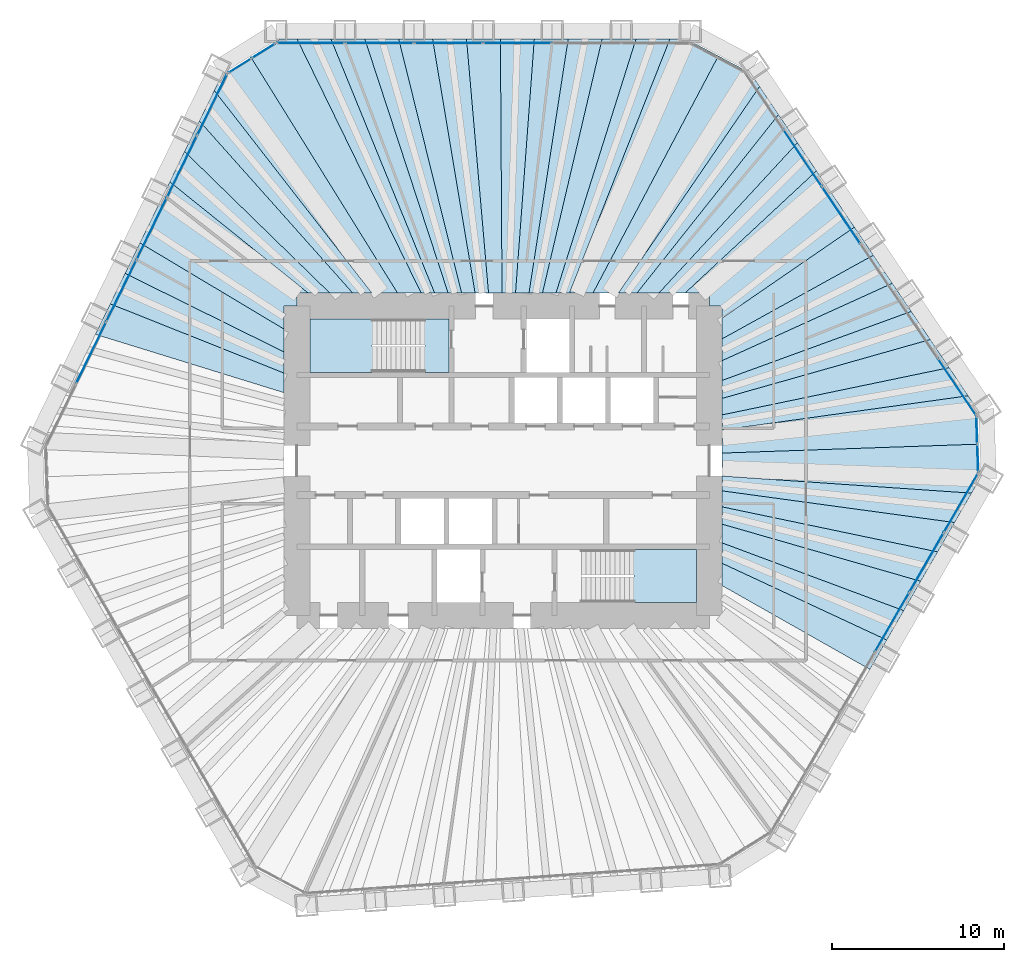
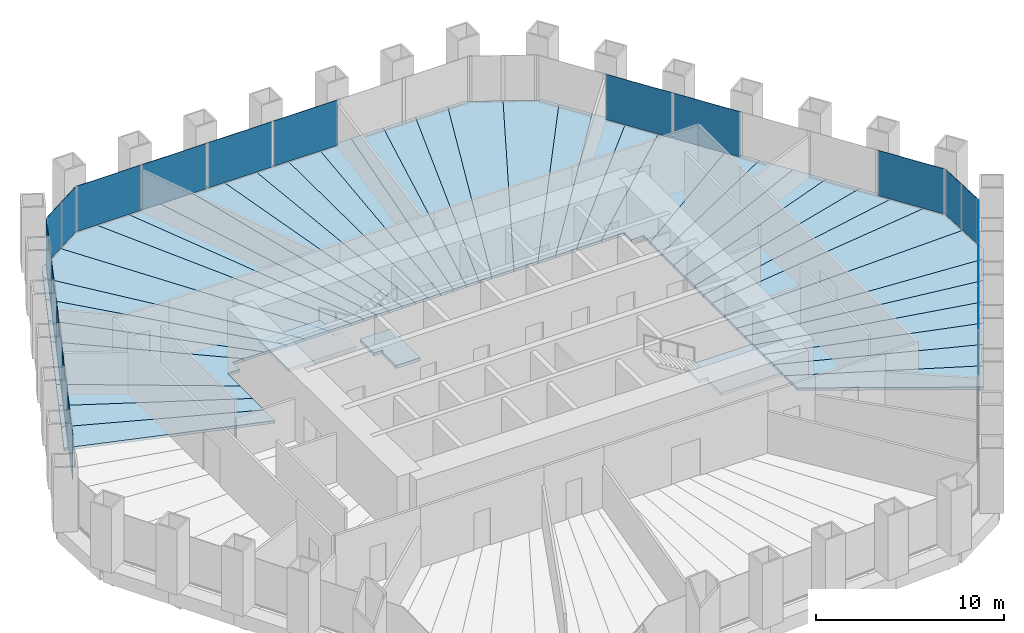
# One storey, part 8 of 12: 43 slabs, 19 plates, 8 elements without a shape of their own.
"""IFC4 building model written with IfcOpenShell, lengths in metres."""

import ifcopenshell
import ifcopenshell.guid

model = None  # the IFC model being written
_history = None  # IfcOwnerHistory: only IFC2X3 demands one
_inside = {}  # id of a spatial element -> (the spatial element, [elements in it])
_under = {}  # id of a project, library or spatial element -> (it, [spatial elements below it])
_declared = {}  # id of a project -> (the project, [libraries it declares])
_typed = {}  # id of a type object -> (the type object, [elements of that type])
_made_of = {}  # id of a material, layer set ... -> (it, [elements and type objects made of it])


def new_model(schema):
    """Start an empty IFC model of exactly this schema.

    Asked for "IFC4X3", IfcOpenShell would pick the latest addendum, in which some entities
    have other attributes; the version numbers below select the first issue.
    IFC2X3 requires an IfcOwnerHistory on every rooted entity: one is made here for all.
    """
    global model, _history
    if schema == "IFC4X3":
        model = ifcopenshell.file(schema_version=(4, 3, 0, 0))
    else:
        model = ifcopenshell.file(schema=schema)
    _inside.clear()
    _under.clear()
    _declared.clear()
    _typed.clear()
    _made_of.clear()
    _history = None
    if model.schema == "IFC2X3":
        org = make("IfcOrganization", Name="unknown")
        user = make(
            "IfcPersonAndOrganization",
            ThePerson=make("IfcPerson", FamilyName="unknown"),
            TheOrganization=org,
        )
        app = make(
            "IfcApplication",
            ApplicationDeveloper=org,
            Version="unknown",
            ApplicationFullName="unknown",
            ApplicationIdentifier="unknown",
        )
        _history = make(
            "IfcOwnerHistory",
            OwningUser=user,
            OwningApplication=app,
            ChangeAction="ADDED",
            CreationDate=0,
        )
    return model


def make(cls, **values):
    """One entity of the class cls with the attributes given. An attribute that is None is left unset."""
    return model.create_entity(
        cls, **{name: value for name, value in values.items() if value is not None}
    )


def rooted(cls, **values):
    """An entity with a GlobalId (a new one), such as an element, a storey or a relation."""
    return make(cls, GlobalId=ifcopenshell.guid.new(), OwnerHistory=_history, **values)


def si_unit(unit_type, name, prefix=None):
    """IfcSIUnit, for example si_unit("LENGTHUNIT", "METRE", prefix="MILLI")."""
    return make("IfcSIUnit", UnitType=unit_type, Prefix=prefix, Name=name)


def assignment(units):
    """IfcUnitAssignment: the units of a project."""
    return None if units is None else make("IfcUnitAssignment", Units=units)


def point(xyz):
    """IfcCartesianPoint."""
    return None if xyz is None else make("IfcCartesianPoint", Coordinates=xyz)


def direction(xyz):
    """IfcDirection."""
    return None if xyz is None else make("IfcDirection", DirectionRatios=xyz)


def frame(location, z_axis=None, x_axis=None):
    """IfcAxis2Placement3D, a coordinate frame: its origin and axes. An axis left out is left unset."""
    return make(
        "IfcAxis2Placement3D",
        Location=point(location),
        Axis=direction(z_axis),
        RefDirection=direction(x_axis),
    )


def frame_2d(location, x_axis=None):
    """IfcAxis2Placement2D, a coordinate frame in the plane: its origin and x axis."""
    return make(
        "IfcAxis2Placement2D", Location=point(location), RefDirection=direction(x_axis)
    )


def origin():
    """The frame at (0, 0, 0) with its axes left unset."""
    return frame((0.0, 0.0, 0.0))


def origin_2d():
    """The frame at (0, 0) in the plane with its x axis left unset."""
    return frame_2d((0.0, 0.0))


def place(relative_to, where):
    """IfcLocalPlacement: puts the frame where relative to a parent placement (None: the world)."""
    return make(
        "IfcLocalPlacement", PlacementRelTo=relative_to, RelativePlacement=where
    )


def context(
    kind, dimensions, precision=None, world=None, true_north=None, identifier=None
):
    """IfcGeometricRepresentationContext, for example the 3D "Model" context."""
    return make(
        "IfcGeometricRepresentationContext",
        ContextIdentifier=identifier,
        ContextType=kind,
        CoordinateSpaceDimension=dimensions,
        Precision=precision,
        WorldCoordinateSystem=world,
        TrueNorth=true_north,
    )


def subcontext(parent, identifier, kind, view, scale=None):
    """IfcGeometricRepresentationSubContext, for example "Body" below "Model"."""
    return make(
        "IfcGeometricRepresentationSubContext",
        ContextIdentifier=identifier,
        ContextType=kind,
        ParentContext=parent,
        TargetScale=scale,
        TargetView=view,
    )


def project(units=None, contexts=None):
    """IfcProject with its units and contexts."""
    return rooted(
        "IfcProject",
        Name="project",
        RepresentationContexts=contexts,
        UnitsInContext=assignment(units),
    )


def spatial(cls, under=None, at=None, **own):
    """A site, building, storey or space (cls), placed at a placement, below another one or the project."""
    s = rooted(cls, ObjectPlacement=at, **own)
    if under is not None:
        _under.setdefault(under.id(), (under, []))[1].append(s)
    return s


def polyline(points):
    """IfcPolyline through the points."""
    return make("IfcPolyline", Points=[point(p) for p in points])


def profile(cls, at=None, kind="AREA", **sizes):
    """A parametric profile (cls). Its sizes go by their IFC names, for example OverallWidth=200.0."""
    return make(cls, ProfileType=kind, Position=at, **sizes)


def rectangle(**sizes):
    """IfcRectangleProfileDef."""
    return profile("IfcRectangleProfileDef", **sizes)


def outline(outer, holes=None, kind="AREA"):
    """IfcArbitraryClosedProfileDef: a profile drawn as a closed curve; with holes, ...WithVoids."""
    if holes is None:
        return make("IfcArbitraryClosedProfileDef", ProfileType=kind, OuterCurve=outer)
    return make(
        "IfcArbitraryProfileDefWithVoids",
        ProfileType=kind,
        OuterCurve=outer,
        InnerCurves=holes,
    )


def extrude(swept, where, along, depth):
    """IfcExtrudedAreaSolid: the profile swept, set in the frame where, extruded along a direction by depth."""
    return make(
        "IfcExtrudedAreaSolid",
        SweptArea=swept,
        Position=where,
        ExtrudedDirection=direction(along),
        Depth=depth,
    )


def shape(context_of_items, identifier, shape_type, items):
    """IfcShapeRepresentation: the items that make up one representation, for example the "Body"."""
    return make(
        "IfcShapeRepresentation",
        ContextOfItems=context_of_items,
        RepresentationIdentifier=identifier,
        RepresentationType=shape_type,
        Items=items,
    )


def material(Name=None, Category=None):
    """IfcMaterial."""
    return make("IfcMaterial", Name=Name, Category=Category)


def layer(
    of_material, thickness, ventilated=None, Name=None, Category=None, Priority=None
):
    """IfcMaterialLayer: one layer of a wall or slab, of a material (None: an air gap)."""
    return make(
        "IfcMaterialLayer",
        Material=of_material,
        LayerThickness=thickness,
        IsVentilated=ventilated,
        Name=Name,
        Category=Category,
        Priority=Priority,
    )


def layer_set(layers, Name=None):
    """IfcMaterialLayerSet."""
    return make("IfcMaterialLayerSet", MaterialLayers=layers, LayerSetName=Name)


def made_of(thing, what):
    """Note that an element or type object is made of a material, layer set ...; save() writes the relation."""
    if what is not None:
        _made_of.setdefault(what.id(), (what, []))[1].append(thing)
    return thing


def type_object(cls, material=None, **own):
    """A type object (cls), such as IfcWallType, which elements share."""
    return made_of(rooted(cls, **own), material)


def element(
    cls,
    number,
    at=None,
    inside=None,
    cuts=None,
    type_object=None,
    material=None,
    context=None,
    identifier="Body",
    shape_type=None,
    held_by="IfcProductDefinitionShape",
    body=None,
    shapes=None,
    **own,
):
    """One element of the class cls, such as IfcWall. Its Tag is "e" and its number.

    at: its placement. inside: the storey or other place that contains it. cuts: it is an
    opening in that element (IfcRelVoidsElement). A single representation is given by context,
    identifier, shape_type and body (its items); several are given by shapes. held_by: the class
    of the entity that holds the representations. save() writes the other relations.
    """
    e = rooted(cls, Tag="e%d" % number, ObjectPlacement=at, **own)
    if body is not None:
        shapes = [shape(context, identifier, shape_type, body)]
    if shapes is not None:
        e.Representation = make(held_by, Representations=shapes)
    if inside is not None:
        _inside.setdefault(inside.id(), (inside, []))[1].append(e)
    if cuts is not None:
        rooted(
            "IfcRelVoidsElement", RelatingBuildingElement=cuts, RelatedOpeningElement=e
        )
    if type_object is not None:
        _typed.setdefault(type_object.id(), (type_object, []))[1].append(e)
    return made_of(e, material)


def aggregate(whole, parts):
    """IfcRelAggregates: a whole, such as a stair, and the parts it consists of."""
    return rooted("IfcRelAggregates", RelatingObject=whole, RelatedObjects=parts)


def save(model, path):
    """Write the relations noted so far, then the file.

    IfcRelAggregates (storeys below a building ...), IfcRelContainedInSpatialStructure (elements
    in a storey), IfcRelDefinesByType, IfcRelAssociatesMaterial and IfcRelDeclares: one each for
    every whole, place, type object, material and project.
    """
    for whole, parts in _under.values():
        aggregate(whole, parts)
    for where, things in _inside.values():
        rooted(
            "IfcRelContainedInSpatialStructure",
            RelatedElements=things,
            RelatingStructure=where,
        )
    for kind, things in _typed.values():
        rooted("IfcRelDefinesByType", RelatedObjects=things, RelatingType=kind)
    for what, things in _made_of.values():
        rooted("IfcRelAssociatesMaterial", RelatedObjects=things, RelatingMaterial=what)
    for by, libraries in _declared.values():
        rooted("IfcRelDeclares", RelatingContext=by, RelatedDefinitions=libraries)
    model.write(path)


model = new_model("IFC4")

# Units and contexts
model_context = context("Model", 3, precision=1e-05, world=origin(), true_north=direction((0.0, 1.0)))
body_context = subcontext(model_context, "Body", "Model", "MODEL_VIEW")
ifc_project = project(units=[si_unit("LENGTHUNIT", "METRE"), si_unit("AREAUNIT", "SQUARE_METRE"), si_unit("VOLUMEUNIT", "CUBIC_METRE"), si_unit("PLANEANGLEUNIT", "RADIAN"), si_unit("MASSUNIT", "GRAM", prefix="KILO")], contexts=[model_context])

# Site, building, storey
site_placement = place(None, origin())
site = spatial("IfcSite", under=ifc_project, at=site_placement, CompositionType="ELEMENT")
building_placement = place(site_placement, origin())
building = spatial("IfcBuilding", under=site, at=building_placement, Name="Qingtian Harvest Tower", CompositionType="ELEMENT")
storey_placement = place(building_placement, frame((0.0, 0.0, 170.199951171875)))
storey = spatial("IfcBuildingStorey", under=building, at=storey_placement, Name="L36", CompositionType="ELEMENT", Elevation=170.199951171875)

# Slabs
ifc_material_1 = material(Name="Concrete fc' 35 MPa", Category="concrete")
ifc_layer_1 = layer(ifc_material_1, 0.169921875)
ifc_layer_set_1 = layer_set([ifc_layer_1], Name="Composite floor slab FS17 170")
slab_type_1 = type_object("IfcSlabType", Name="Composite floor slab FS17 170", PredefinedType="FLOOR", material=ifc_layer_set_1)
slab_1_placement = place(storey_placement, frame((0.0, 0.0, -0.169921875)))
element("IfcSlab", 1, at=slab_1_placement, inside=storey, type_object=slab_type_1, Name="Floor slab L36 panel D33", PredefinedType="FLOOR", context=body_context, shape_type="SweptSolid", body=[
    extrude(outline(polyline([(12.75, -5.97021484375), (22.330322265625, -10.4326171875), (21.343505859375, -12.14208984375), (12.75, -7.268798828125), (12.75, -5.97021484375)])), origin(), (0.0, 0.0, 1.0), 0.169921875),
])
slab_2_placement = place(storey_placement, frame((0.0, 0.0, -0.169921875)))
element("IfcSlab", 2, at=slab_2_placement, inside=storey, type_object=slab_type_1, Name="Floor slab L36 panel D34", PredefinedType="FLOOR", context=body_context, shape_type="SweptSolid", body=[
    extrude(outline(polyline([(12.75, -4.78173828125), (23.317138671875, -8.723388671875), (22.330322265625, -10.4326171875), (12.75, -5.97021484375), (12.75, -4.78173828125)])), origin(), (0.0, 0.0, 1.0), 0.169921875),
])
slab_3_placement = place(storey_placement, frame((0.0, 0.0, -0.169921875)))
element("IfcSlab", 3, at=slab_3_placement, inside=storey, type_object=slab_type_1, Name="Floor slab L36 panel D35", PredefinedType="FLOOR", context=body_context, shape_type="SweptSolid", body=[
    extrude(outline(polyline([(12.75, -3.68994140625), (24.30419921875, -7.013916015625), (23.317138671875, -8.723388671875), (12.75, -4.78173828125), (12.75, -3.68994140625)])), origin(), (0.0, 0.0, 1.0), 0.169921875),
])
slab_4_placement = place(storey_placement, frame((0.0, 0.0, -0.169921875)))
element("IfcSlab", 4, at=slab_4_placement, inside=storey, type_object=slab_type_1, Name="Floor slab L36 panel D36", PredefinedType="FLOOR", context=body_context, shape_type="SweptSolid", body=[
    extrude(outline(polyline([(12.75, -2.683349609375), (25.291015625, -5.3046875), (24.30419921875, -7.013916015625), (12.75, -3.68994140625), (12.75, -2.683349609375)])), origin(), (0.0, 0.0, 1.0), 0.169921875),
])
slab_5_placement = place(storey_placement, frame((0.0, 0.0, -0.169921875)))
element("IfcSlab", 5, at=slab_5_placement, inside=storey, type_object=slab_type_1, Name="Floor slab L36 panel D37", PredefinedType="FLOOR", context=body_context, shape_type="SweptSolid", body=[
    extrude(outline(polyline([(12.75, -1.752685546875), (26.278076171875, -3.59521484375), (25.291015625, -5.3046875), (12.75, -2.683349609375), (12.75, -1.752685546875)])), origin(), (0.0, 0.0, 1.0), 0.169921875),
])
slab_6_placement = place(storey_placement, frame((0.0, 0.0, -0.169921875)))
element("IfcSlab", 6, at=slab_6_placement, inside=storey, type_object=slab_type_1, Name="Floor slab L36 panel D38", PredefinedType="FLOOR", context=body_context, shape_type="SweptSolid", body=[
    extrude(outline(polyline([(12.75, -0.889404296875), (27.264892578125, -1.8857421875), (26.278076171875, -3.59521484375), (12.75, -1.752685546875), (12.75, -0.889404296875)])), origin(), (0.0, 0.0, 1.0), 0.169921875),
])
slab_7_placement = place(storey_placement, frame((0.0, 0.0, -0.169921875)))
element("IfcSlab", 7, at=slab_7_placement, inside=storey, type_object=slab_type_1, Name="Floor slab L36 panel D39", PredefinedType="FLOOR", context=body_context, shape_type="SweptSolid", body=[
    extrude(outline(polyline([(12.75, -0.889404296875), (12.75, 0.447509765625), (27.666015625, 0.96630859375), (27.737060546875, -1.06787109375), (27.264892578125, -1.8857421875), (12.75, -0.889404296875)])), origin(), (0.0, 0.0, 1.0), 0.169921875),
])
slab_8_placement = place(storey_placement, frame((0.0, 0.0, -0.169921875)))
element("IfcSlab", 8, at=slab_8_placement, inside=storey, type_object=slab_type_1, Name="Floor slab L36 panel D40", PredefinedType="FLOOR", context=body_context, shape_type="SweptSolid", body=[
    extrude(outline(polyline([(12.75, 0.447509765625), (12.75, 1.79052734375), (27.06689453125, 3.783203125), (27.594970703125, 3.000244140625), (27.666015625, 0.96630859375), (12.75, 0.447509765625)])), origin(), (0.0, 0.0, 1.0), 0.169921875),
])
slab_9_placement = place(storey_placement, frame((0.0, 0.0, -0.169921875)))
element("IfcSlab", 9, at=slab_9_placement, inside=storey, type_object=slab_type_1, Name="Floor slab L36 panel D41", PredefinedType="FLOOR", context=body_context, shape_type="SweptSolid", body=[
    extrude(outline(polyline([(12.75, 2.671142578125), (25.963134765625, 5.419677734375), (27.06689453125, 3.783203125), (12.75, 1.79052734375), (12.75, 2.671142578125)])), origin(), (0.0, 0.0, 1.0), 0.169921875),
])
slab_10_placement = place(storey_placement, frame((0.0, 0.0, -0.169921875)))
element("IfcSlab", 10, at=slab_10_placement, inside=storey, type_object=slab_type_1, Name="Floor slab L36 panel D42", PredefinedType="FLOOR", context=body_context, shape_type="SweptSolid", body=[
    extrude(outline(polyline([(12.75, 3.6298828125), (24.859375, 7.055908203125), (25.963134765625, 5.419677734375), (12.75, 2.671142578125), (12.75, 3.6298828125)])), origin(), (0.0, 0.0, 1.0), 0.169921875),
])
slab_11_placement = place(storey_placement, frame((0.0, 0.0, -0.169921875)))
element("IfcSlab", 11, at=slab_11_placement, inside=storey, type_object=slab_type_1, Name="Floor slab L36 panel D43", PredefinedType="FLOOR", context=body_context, shape_type="SweptSolid", body=[
    extrude(outline(polyline([(12.75, 4.677734375), (23.755615234375, 8.6923828125), (24.859375, 7.055908203125), (12.75, 3.6298828125), (12.75, 4.677734375)])), origin(), (0.0, 0.0, 1.0), 0.169921875),
])
slab_12_placement = place(storey_placement, frame((0.0, 0.0, -0.169921875)))
element("IfcSlab", 12, at=slab_12_placement, inside=storey, type_object=slab_type_1, Name="Floor slab L36 panel D44", PredefinedType="FLOOR", context=body_context, shape_type="SweptSolid", body=[
    extrude(outline(polyline([(12.75, 5.828125), (22.65185546875, 10.32861328125), (23.755615234375, 8.6923828125), (12.75, 4.677734375), (12.75, 5.828125)])), origin(), (0.0, 0.0, 1.0), 0.169921875),
])
slab_13_placement = place(storey_placement, frame((0.0, 0.0, -0.169921875)))
element("IfcSlab", 13, at=slab_13_placement, inside=storey, type_object=slab_type_1, Name="Floor slab L36 panel D45", PredefinedType="FLOOR", context=body_context, shape_type="SweptSolid", body=[
    extrude(outline(polyline([(12.75, 7.096435546875), (21.548095703125, 11.965087890625), (22.65185546875, 10.32861328125), (12.75, 5.828125), (12.75, 7.096435546875)])), origin(), (0.0, 0.0, 1.0), 0.169921875),
])
slab_14_placement = place(storey_placement, frame((0.0, 0.0, -0.169921875)))
element("IfcSlab", 14, at=slab_14_placement, inside=storey, type_object=slab_type_1, Name="Floor slab L36 panel D46", PredefinedType="FLOOR", context=body_context, shape_type="SweptSolid", body=[
    extrude(outline(polyline([(12.75, 8.30615234375), (20.448486328125, 13.595458984375), (21.548095703125, 11.965087890625), (12.75, 7.096435546875), (12.75, 8.30615234375)])), origin(), (0.0, 0.0, 1.0), 0.169921875),
])
slab_15_placement = place(storey_placement, frame((0.0, 0.0, -0.169921875)))
element("IfcSlab", 15, at=slab_15_placement, inside=storey, type_object=slab_type_1, Name="Floor slab L36 panel D48", PredefinedType="FLOOR", context=body_context, shape_type="SweptSolid", body=[
    extrude(outline(polyline([(18.238037109375, 16.87255859375), (20.448486328125, 13.595458984375), (12.75, 8.30615234375), (12.75, 9.0), (12.0, 9.0), (12.0, 9.75), (10.578369140625, 9.75), (18.238037109375, 16.87255859375)])), origin(), (0.0, 0.0, 1.0), 0.169921875),
])
slab_16_placement = place(storey_placement, frame((0.0, 0.0, -0.169921875)))
element("IfcSlab", 16, at=slab_16_placement, inside=storey, type_object=slab_type_1, Name="Floor slab L36 panel D49", PredefinedType="FLOOR", context=body_context, shape_type="SweptSolid", body=[
    extrude(outline(polyline([(9.0556640625, 9.75), (17.134033203125, 18.50927734375), (18.238037109375, 16.87255859375), (10.578369140625, 9.75), (9.0556640625, 9.75)])), origin(), (0.0, 0.0, 1.0), 0.169921875),
])
slab_17_placement = place(storey_placement, frame((0.0, 0.0, -0.169921875)))
element("IfcSlab", 17, at=slab_17_placement, inside=storey, type_object=slab_type_1, Name="Floor slab L36 panel D50", PredefinedType="FLOOR", context=body_context, shape_type="SweptSolid", body=[
    extrude(outline(polyline([(7.781494140625, 9.75), (16.0302734375, 20.145751953125), (17.134033203125, 18.50927734375), (9.0556640625, 9.75), (7.781494140625, 9.75)])), origin(), (0.0, 0.0, 1.0), 0.169921875),
])
slab_18_placement = place(storey_placement, frame((0.0, 0.0, -0.169921875)))
element("IfcSlab", 18, at=slab_18_placement, inside=storey, type_object=slab_type_1, Name="Floor slab L36 panel D51", PredefinedType="FLOOR", context=body_context, shape_type="SweptSolid", body=[
    extrude(outline(polyline([(6.69970703125, 9.75), (14.926513671875, 21.7822265625), (16.0302734375, 20.145751953125), (7.781494140625, 9.75), (6.69970703125, 9.75)])), origin(), (0.0, 0.0, 1.0), 0.169921875),
])
slab_19_placement = place(storey_placement, frame((0.0, 0.0, -0.169921875)))
element("IfcSlab", 19, at=slab_19_placement, inside=storey, type_object=slab_type_1, Name="Floor slab L36 panel D52", PredefinedType="FLOOR", context=body_context, shape_type="SweptSolid", body=[
    extrude(outline(polyline([(6.69970703125, 9.75), (5.224609375, 9.75), (12.528076171875, 23.5595703125), (14.398193359375, 22.5654296875), (14.926513671875, 21.7822265625), (6.69970703125, 9.75)])), origin(), (0.0, 0.0, 1.0), 0.169921875),
])
slab_20_placement = place(storey_placement, frame((0.0, 0.0, -0.169921875)))
element("IfcSlab", 20, at=slab_20_placement, inside=storey, type_object=slab_type_1, Name="Floor slab L36 panel D53", PredefinedType="FLOOR", context=body_context, shape_type="SweptSolid", body=[
    extrude(outline(polyline([(3.856201171875, 9.75), (9.7119140625, 24.554931640625), (10.656005859375, 24.554931640625), (12.528076171875, 23.5595703125), (5.224609375, 9.75), (3.856201171875, 9.75)])), origin(), (0.0, 0.0, 1.0), 0.169921875),
])
slab_21_placement = place(storey_placement, frame((0.0, 0.0, -0.169921875)))
element("IfcSlab", 21, at=slab_21_placement, inside=storey, type_object=slab_type_1, Name="Floor slab L36 panel D54", PredefinedType="FLOOR", context=body_context, shape_type="SweptSolid", body=[
    extrude(outline(polyline([(3.072509765625, 9.75), (7.73828125, 24.554931640625), (9.7119140625, 24.554931640625), (3.856201171875, 9.75), (3.072509765625, 9.75)])), origin(), (0.0, 0.0, 1.0), 0.169921875),
])
slab_22_placement = place(storey_placement, frame((0.0, 0.0, -0.169921875)))
element("IfcSlab", 22, at=slab_22_placement, inside=storey, type_object=slab_type_1, Name="Floor slab L36 panel D55", PredefinedType="FLOOR", context=body_context, shape_type="SweptSolid", body=[
    extrude(outline(polyline([(2.288818359375, 9.75), (5.764404296875, 24.554931640625), (7.73828125, 24.554931640625), (3.072509765625, 9.75), (2.288818359375, 9.75)])), origin(), (0.0, 0.0, 1.0), 0.169921875),
])
slab_23_placement = place(storey_placement, frame((0.0, 0.0, -0.169921875)))
element("IfcSlab", 23, at=slab_23_placement, inside=storey, type_object=slab_type_1, Name="Floor slab L36 panel D56", PredefinedType="FLOOR", context=body_context, shape_type="SweptSolid", body=[
    extrude(outline(polyline([(1.505126953125, 9.75), (3.790771484375, 24.554931640625), (5.764404296875, 24.554931640625), (2.288818359375, 9.75), (1.505126953125, 9.75)])), origin(), (0.0, 0.0, 1.0), 0.169921875),
])
slab_24_placement = place(storey_placement, frame((0.0, 0.0, -0.169921875)))
element("IfcSlab", 24, at=slab_24_placement, inside=storey, type_object=slab_type_1, Name="Floor slab L36 panel D57", PredefinedType="FLOOR", context=body_context, shape_type="SweptSolid", body=[
    extrude(outline(polyline([(0.721435546875, 9.75), (1.81689453125, 24.554931640625), (3.790771484375, 24.554931640625), (1.505126953125, 9.75), (0.721435546875, 9.75)])), origin(), (0.0, 0.0, 1.0), 0.169921875),
])
slab_25_placement = place(storey_placement, frame((0.0, 0.0, -0.169921875)))
element("IfcSlab", 25, at=slab_25_placement, inside=storey, type_object=slab_type_1, Name="Floor slab L36 panel D58", PredefinedType="FLOOR", context=body_context, shape_type="SweptSolid", body=[
    extrude(outline(polyline([(-0.062255859375, 9.75), (-0.156982421875, 24.554931640625), (1.81689453125, 24.554931640625), (0.721435546875, 9.75), (-0.062255859375, 9.75)])), origin(), (0.0, 0.0, 1.0), 0.169921875),
])
slab_26_placement = place(storey_placement, frame((0.0, 0.0, -0.169921875)))
element("IfcSlab", 26, at=slab_26_placement, inside=storey, type_object=slab_type_1, Name="Floor slab L36 panel D59", PredefinedType="FLOOR", context=body_context, shape_type="SweptSolid", body=[
    extrude(outline(polyline([(-0.845947265625, 9.75), (-2.130615234375, 24.554931640625), (-0.156982421875, 24.554931640625), (-0.062255859375, 9.75), (-0.845947265625, 9.75)])), origin(), (0.0, 0.0, 1.0), 0.169921875),
])
slab_27_placement = place(storey_placement, frame((0.0, 0.0, -0.169921875)))
element("IfcSlab", 27, at=slab_27_placement, inside=storey, type_object=slab_type_1, Name="Floor slab L36 panel D60", PredefinedType="FLOOR", context=body_context, shape_type="SweptSolid", body=[
    extrude(outline(polyline([(-1.629638671875, 9.75), (-4.1044921875, 24.554931640625), (-2.130615234375, 24.554931640625), (-0.845947265625, 9.75), (-1.629638671875, 9.75)])), origin(), (0.0, 0.0, 1.0), 0.169921875),
])
slab_28_placement = place(storey_placement, frame((0.0, 0.0, -0.169921875)))
element("IfcSlab", 28, at=slab_28_placement, inside=storey, type_object=slab_type_1, Name="Floor slab L36 panel D61", PredefinedType="FLOOR", context=body_context, shape_type="SweptSolid", body=[
    extrude(outline(polyline([(-2.41357421875, 9.75), (-6.078125, 24.554931640625), (-4.1044921875, 24.554931640625), (-1.629638671875, 9.75), (-2.41357421875, 9.75)])), origin(), (0.0, 0.0, 1.0), 0.169921875),
])
slab_29_placement = place(storey_placement, frame((0.0, 0.0, -0.169921875)))
element("IfcSlab", 29, at=slab_29_placement, inside=storey, type_object=slab_type_1, Name="Floor slab L36 panel D62", PredefinedType="FLOOR", context=body_context, shape_type="SweptSolid", body=[
    extrude(outline(polyline([(-3.197265625, 9.75), (-8.052001953125, 24.554931640625), (-6.078125, 24.554931640625), (-2.41357421875, 9.75), (-3.197265625, 9.75)])), origin(), (0.0, 0.0, 1.0), 0.169921875),
])
slab_30_placement = place(storey_placement, frame((0.0, 0.0, -0.169921875)))
element("IfcSlab", 30, at=slab_30_placement, inside=storey, type_object=slab_type_1, Name="Floor slab L36 panel D63", PredefinedType="FLOOR", context=body_context, shape_type="SweptSolid", body=[
    extrude(outline(polyline([(-3.98095703125, 9.75), (-10.025634765625, 24.554931640625), (-8.052001953125, 24.554931640625), (-3.197265625, 9.75), (-3.98095703125, 9.75)])), origin(), (0.0, 0.0, 1.0), 0.169921875),
])
slab_31_placement = place(storey_placement, frame((0.0, 0.0, -0.169921875)))
element("IfcSlab", 31, at=slab_31_placement, inside=storey, type_object=slab_type_1, Name="Floor slab L36 panel D64", PredefinedType="FLOOR", context=body_context, shape_type="SweptSolid", body=[
    extrude(outline(polyline([(-4.7646484375, 9.75), (-11.99951171875, 24.554931640625), (-10.025634765625, 24.554931640625), (-3.98095703125, 9.75), (-4.7646484375, 9.75)])), origin(), (0.0, 0.0, 1.0), 0.169921875),
])
slab_32_placement = place(storey_placement, frame((0.0, 0.0, -0.169921875)))
element("IfcSlab", 32, at=slab_32_placement, inside=storey, type_object=slab_type_1, Name="Floor slab L36 panel D65", PredefinedType="FLOOR", context=body_context, shape_type="SweptSolid", body=[
    extrude(outline(polyline([(-4.7646484375, 9.75), (-6.13671875, 9.75), (-14.670654296875, 23.475830078125), (-12.943603515625, 24.554931640625), (-11.99951171875, 24.554931640625), (-4.7646484375, 9.75)])), origin(), (0.0, 0.0, 1.0), 0.169921875),
])
slab_33_placement = place(storey_placement, frame((0.0, 0.0, -0.169921875)))
element("IfcSlab", 33, at=slab_33_placement, inside=storey, type_object=slab_type_1, Name="Floor slab L36 panel D66", PredefinedType="FLOOR", context=body_context, shape_type="SweptSolid", body=[
    extrude(outline(polyline([(-6.13671875, 9.75), (-7.62646484375, 9.75), (-16.809814453125, 21.548828125), (-16.395751953125, 22.39794921875), (-14.670654296875, 23.475830078125), (-6.13671875, 9.75)])), origin(), (0.0, 0.0, 1.0), 0.169921875),
])
slab_34_placement = place(storey_placement, frame((0.0, 0.0, -0.169921875)))
element("IfcSlab", 34, at=slab_34_placement, inside=storey, type_object=slab_type_1, Name="Floor slab L36 panel D67", PredefinedType="FLOOR", context=body_context, shape_type="SweptSolid", body=[
    extrude(outline(polyline([(-8.74169921875, 9.75), (-17.67529296875, 19.774658203125), (-16.809814453125, 21.548828125), (-7.62646484375, 9.75), (-8.74169921875, 9.75)])), origin(), (0.0, 0.0, 1.0), 0.169921875),
])
slab_35_placement = place(storey_placement, frame((0.0, 0.0, -0.169921875)))
element("IfcSlab", 35, at=slab_35_placement, inside=storey, type_object=slab_type_1, Name="Floor slab L36 panel D68", PredefinedType="FLOOR", context=body_context, shape_type="SweptSolid", body=[
    extrude(outline(polyline([(-10.077880859375, 9.75), (-18.54052734375, 18.000244140625), (-17.67529296875, 19.774658203125), (-8.74169921875, 9.75), (-10.077880859375, 9.75)])), origin(), (0.0, 0.0, 1.0), 0.169921875),
])
slab_36_placement = place(storey_placement, frame((0.0, 0.0, -0.169921875)))
element("IfcSlab", 36, at=slab_36_placement, inside=storey, type_object=slab_type_1, Name="Floor slab L36 panel D69", PredefinedType="FLOOR", context=body_context, shape_type="SweptSolid", body=[
    extrude(outline(polyline([(-11.329345703125, 9.75), (-19.4013671875, 16.235595703125), (-18.54052734375, 18.000244140625), (-10.077880859375, 9.75), (-11.329345703125, 9.75)])), origin(), (0.0, 0.0, 1.0), 0.169921875),
])
slab_37_placement = place(storey_placement, frame((0.0, 0.0, -0.169921875)))
element("IfcSlab", 37, at=slab_37_placement, inside=storey, type_object=slab_type_1, Name="Floor slab L36 panel D70", PredefinedType="FLOOR", context=body_context, shape_type="SweptSolid", body=[
    extrude(outline(polyline([(-12.0, 9.0), (-12.75, 9.0), (-12.75, 7.662841796875), (-21.1357421875, 12.6796875), (-19.4013671875, 16.235595703125), (-11.329345703125, 9.75), (-12.0, 9.75), (-12.0, 9.0)])), origin(), (0.0, 0.0, 1.0), 0.169921875),
])
slab_38_placement = place(storey_placement, frame((0.0, 0.0, -0.169921875)))
element("IfcSlab", 38, at=slab_38_placement, inside=storey, type_object=slab_type_1, Name="Floor slab L36 panel D72", PredefinedType="FLOOR", context=body_context, shape_type="SweptSolid", body=[
    extrude(outline(polyline([(-12.75, 6.332275390625), (-22.0009765625, 10.905517578125), (-21.1357421875, 12.6796875), (-12.75, 7.662841796875), (-12.75, 6.332275390625)])), origin(), (0.0, 0.0, 1.0), 0.169921875),
])
slab_39_placement = place(storey_placement, frame((0.0, 0.0, -0.169921875)))
element("IfcSlab", 39, at=slab_39_placement, inside=storey, type_object=slab_type_1, Name="Floor slab L36 panel D73", PredefinedType="FLOOR", context=body_context, shape_type="SweptSolid", body=[
    extrude(outline(polyline([(-12.75, 5.1025390625), (-22.8662109375, 9.131591796875), (-22.0009765625, 10.905517578125), (-12.75, 6.332275390625), (-12.75, 5.1025390625)])), origin(), (0.0, 0.0, 1.0), 0.169921875),
])
slab_40_placement = place(storey_placement, frame((0.0, 0.0, -0.169921875)))
element("IfcSlab", 40, at=slab_40_placement, inside=storey, type_object=slab_type_1, Name="Floor slab L36 panel D74", PredefinedType="FLOOR", context=body_context, shape_type="SweptSolid", body=[
    extrude(outline(polyline([(-12.75, 3.962646484375), (-23.7314453125, 7.357421875), (-22.8662109375, 9.131591796875), (-12.75, 5.1025390625), (-12.75, 3.962646484375)])), origin(), (0.0, 0.0, 1.0), 0.169921875),
])

# Curtain wall, plates
ifc_material_2 = material(Name="Bronze-anodised aluminium curtain wall", Category="aluminium")
curtain_wall_type = type_object("IfcCurtainWallType", Name="Curtain wall CW4 office", PredefinedType="USERDEFINED", material=ifc_material_2)
curtain_wall_1_placement = place(storey_placement, origin())
curtain_wall_1 = element("IfcCurtainWall", 41, at=curtain_wall_1_placement, inside=storey, type_object=curtain_wall_type, Name="Curtain wall CW4 L36 N0-5", ObjectType="RECESSED CURTAIN WALL", PredefinedType="USERDEFINED")
ifc_material_3 = material(Name="Bronze-tinted laminated insulating glass", Category="glass")
ifc_layer_2 = layer(ifc_material_3, 0.030029296875)
ifc_layer_set_2 = layer_set([ifc_layer_2], Name="Glazed panel CWP tinted IGU")
plate_type = type_object("IfcPlateType", Name="Glazed panel CWP tinted IGU", PredefinedType="CURTAIN_PANEL", material=ifc_layer_set_2)
plate_1_placement = place(storey_placement, frame((-11.196044921875, 24.300048828125, 0.06494140625), z_axis=(0.0, 0.0, 1.0), x_axis=(1.0, 0.0, 0.0)))
plate_1 = element("IfcPlate", 42, at=plate_1_placement, type_object=plate_type, Name="CW4 panel 1.1", PredefinedType="CURTAIN_PANEL", context=body_context, shape_type="SweptSolid", body=[
    extrude(rectangle(XDim=3.921630859375, YDim=0.030029296875, at=origin_2d()), origin(), (0.0, 0.0, 1.0), 2.93505859375),
])
plate_2_placement = place(storey_placement, frame((-7.193115234375, 24.300048828125, 0.06494140625), z_axis=(0.0, 0.0, 1.0), x_axis=(1.0, 0.0, 0.0)))
plate_2 = element("IfcPlate", 43, at=plate_2_placement, type_object=plate_type, Name="CW4 panel 2.1", PredefinedType="CURTAIN_PANEL", context=body_context, shape_type="SweptSolid", body=[
    extrude(rectangle(XDim=3.9541015625, YDim=0.030029296875, at=origin_2d()), origin(), (0.0, 0.0, 1.0), 2.93505859375),
])
plate_3_placement = place(storey_placement, frame((-3.174072265625, 24.300048828125, 0.06494140625), z_axis=(0.0, 0.0, 1.0), x_axis=(1.0, 0.0, 0.0)))
plate_3 = element("IfcPlate", 44, at=plate_3_placement, type_object=plate_type, Name="CW4 panel 3.1", PredefinedType="CURTAIN_PANEL", context=body_context, shape_type="SweptSolid", body=[
    extrude(rectangle(XDim=3.9541015625, YDim=0.030029296875, at=origin_2d()), origin(), (0.0, 0.0, 1.0), 2.93505859375),
])
plate_4_placement = place(storey_placement, frame((0.844970703125, 24.300048828125, 0.06494140625), z_axis=(0.0, 0.0, 1.0), x_axis=(1.0, 0.0, 0.0)))
plate_4 = element("IfcPlate", 45, at=plate_4_placement, type_object=plate_type, Name="CW4 panel 4.1", PredefinedType="CURTAIN_PANEL", context=body_context, shape_type="SweptSolid", body=[
    extrude(rectangle(XDim=3.9541015625, YDim=0.030029296875, at=origin_2d()), origin(), (0.0, 0.0, 1.0), 2.93505859375),
])
aggregate(curtain_wall_1, [plate_1, plate_2, plate_3, plate_4])

curtain_wall_2_placement = place(storey_placement, origin())
curtain_wall_2 = element("IfcCurtainWall", 46, at=curtain_wall_2_placement, inside=storey, type_object=curtain_wall_type, Name="Curtain wall CW4 L36 NE0-5", ObjectType="RECESSED CURTAIN WALL", PredefinedType="USERDEFINED")
plate_5_placement = place(storey_placement, frame((17.425537109375, 17.620849609375, 0.06494140625), z_axis=(0.0, 0.0, 1.0), x_axis=(0.559192903471, -0.829037572555, 0.0)))
plate_5 = element("IfcPlate", 47, at=plate_5_placement, type_object=plate_type, Name="CW4 panel 2.1", PredefinedType="CURTAIN_PANEL", context=body_context, shape_type="SweptSolid", body=[
    extrude(rectangle(XDim=3.9541015625, YDim=0.030029296875, at=origin_2d()), origin(), (0.0, 0.0, 1.0), 2.93505859375),
])
plate_6_placement = place(storey_placement, frame((19.673095703125, 14.2890625, 0.06494140625), z_axis=(0.0, 0.0, 1.0), x_axis=(0.559192903471, -0.829037572555, 0.0)))
plate_6 = element("IfcPlate", 48, at=plate_6_placement, type_object=plate_type, Name="CW4 panel 3.1", PredefinedType="CURTAIN_PANEL", context=body_context, shape_type="SweptSolid", body=[
    extrude(rectangle(XDim=3.9541015625, YDim=0.030029296875, at=origin_2d()), origin(), (0.0, 0.0, 1.0), 2.93505859375),
])
plate_7_placement = place(storey_placement, frame((26.40625, 4.306640625, 0.06494140625), z_axis=(0.0, 0.0, 1.0), x_axis=(0.559192903471, -0.829037572555, 0.0)))
plate_7 = element("IfcPlate", 49, at=plate_7_placement, type_object=plate_type, Name="CW4 panel 6.1", PredefinedType="CURTAIN_PANEL", context=body_context, shape_type="SweptSolid", body=[
    extrude(rectangle(XDim=3.921630859375, YDim=0.030029296875, at=origin_2d()), origin(), (0.0, 0.0, 1.0), 2.93505859375),
])
aggregate(curtain_wall_2, [plate_5, plate_6, plate_7])

curtain_wall_3_placement = place(storey_placement, origin())
curtain_wall_3 = element("IfcCurtainWall", 50, at=curtain_wall_3_placement, inside=storey, type_object=curtain_wall_type, Name="Curtain wall CW4 L36 NEC", ObjectType="RECESSED CURTAIN WALL", PredefinedType="USERDEFINED")
plate_8_placement = place(storey_placement, frame((27.568603515625, 1.779052734375, 0.06494140625), z_axis=(0.0, 0.0, 1.0), x_axis=(0.034899496703, -0.999390827019, 0.0)))
plate_8 = element("IfcPlate", 51, at=plate_8_placement, type_object=plate_type, Name="CW4 panel 1.1", PredefinedType="CURTAIN_PANEL", context=body_context, shape_type="SweptSolid", body=[
    extrude(rectangle(XDim=1.56689453125, YDim=0.030029296875, at=origin_2d()), origin(), (0.0, 0.0, 1.0), 2.93505859375),
])
plate_9_placement = place(storey_placement, frame((27.625732421875, 0.148193359375, 0.06494140625), z_axis=(0.0, 0.0, 1.0), x_axis=(0.034899496703, -0.999390827019, 0.0)))
plate_9 = element("IfcPlate", 52, at=plate_9_placement, type_object=plate_type, Name="CW4 panel 2.1", PredefinedType="CURTAIN_PANEL", context=body_context, shape_type="SweptSolid", body=[
    extrude(rectangle(XDim=1.56689453125, YDim=0.030029296875, at=origin_2d()), origin(), (0.0, 0.0, 1.0), 2.93505859375),
])
aggregate(curtain_wall_3, [plate_8, plate_9])

curtain_wall_4_placement = place(storey_placement, origin())
curtain_wall_4 = element("IfcCurtainWall", 53, at=curtain_wall_4_placement, inside=storey, type_object=curtain_wall_type, Name="Curtain wall CW4 L36 SE0-5", ObjectType="RECESSED CURTAIN WALL", PredefinedType="USERDEFINED")
plate_10_placement = place(storey_placement, frame((26.642333984375, -2.4541015625, 0.06494140625), z_axis=(0.0, 0.0, 1.0), x_axis=(-0.5, -0.866025403784, 0.0)))
plate_10 = element("IfcPlate", 54, at=plate_10_placement, type_object=plate_type, Name="CW4 panel 1.1", PredefinedType="CURTAIN_PANEL", context=body_context, shape_type="SweptSolid", body=[
    extrude(rectangle(XDim=3.921630859375, YDim=0.030029296875, at=origin_2d()), origin(), (0.0, 0.0, 1.0), 2.93505859375),
])
plate_11_placement = place(storey_placement, frame((24.640869140625, -5.920654296875, 0.06494140625), z_axis=(0.0, 0.0, 1.0), x_axis=(-0.5, -0.866025403784, 0.0)))
plate_11 = element("IfcPlate", 55, at=plate_11_placement, type_object=plate_type, Name="CW4 panel 2.1", PredefinedType="CURTAIN_PANEL", context=body_context, shape_type="SweptSolid", body=[
    extrude(rectangle(XDim=3.9541015625, YDim=0.030029296875, at=origin_2d()), origin(), (0.0, 0.0, 1.0), 2.93505859375),
])
plate_12_placement = place(storey_placement, frame((22.63134765625, -9.401123046875, 0.06494140625), z_axis=(0.0, 0.0, 1.0), x_axis=(-0.5, -0.866025403784, 0.0)))
plate_12 = element("IfcPlate", 56, at=plate_12_placement, type_object=plate_type, Name="CW4 panel 3.1", PredefinedType="CURTAIN_PANEL", context=body_context, shape_type="SweptSolid", body=[
    extrude(rectangle(XDim=3.9541015625, YDim=0.030029296875, at=origin_2d()), origin(), (0.0, 0.0, 1.0), 2.93505859375),
])
aggregate(curtain_wall_4, [plate_10, plate_11, plate_12])

curtain_wall_5_placement = place(storey_placement, origin())
curtain_wall_5 = element("IfcCurtainWall", 57, at=curtain_wall_5_placement, inside=storey, type_object=curtain_wall_type, Name="Curtain wall CW4 L36 NW0-5", ObjectType="RECESSED CURTAIN WALL", PredefinedType="USERDEFINED")
plate_13_placement = place(storey_placement, frame((-23.972900390625, 6.280517578125, 0.06494140625), z_axis=(0.0, 0.0, 1.0), x_axis=(0.438371146789, 0.898794046299, 0.0)))
plate_13 = element("IfcPlate", 58, at=plate_13_placement, type_object=plate_type, Name="CW4 panel 2.1", PredefinedType="CURTAIN_PANEL", context=body_context, shape_type="SweptSolid", body=[
    extrude(rectangle(XDim=3.9541015625, YDim=0.030029296875, at=origin_2d()), origin(), (0.0, 0.0, 1.0), 2.93505859375),
])
plate_14_placement = place(storey_placement, frame((-22.211181640625, 9.892822265625, 0.06494140625), z_axis=(0.0, 0.0, 1.0), x_axis=(0.438371146789, 0.898794046299, 0.0)))
plate_14 = element("IfcPlate", 59, at=plate_14_placement, type_object=plate_type, Name="CW4 panel 3.1", PredefinedType="CURTAIN_PANEL", context=body_context, shape_type="SweptSolid", body=[
    extrude(rectangle(XDim=3.9541015625, YDim=0.030029296875, at=origin_2d()), origin(), (0.0, 0.0, 1.0), 2.93505859375),
])
plate_15_placement = place(storey_placement, frame((-20.44921875, 13.505126953125, 0.06494140625), z_axis=(0.0, 0.0, 1.0), x_axis=(0.438371146789, 0.898794046299, 0.0)))
plate_15 = element("IfcPlate", 60, at=plate_15_placement, type_object=plate_type, Name="CW4 panel 4.1", PredefinedType="CURTAIN_PANEL", context=body_context, shape_type="SweptSolid", body=[
    extrude(rectangle(XDim=3.9541015625, YDim=0.030029296875, at=origin_2d()), origin(), (0.0, 0.0, 1.0), 2.93505859375),
])
plate_16_placement = place(storey_placement, frame((-18.6875, 17.117431640625, 0.06494140625), z_axis=(0.0, 0.0, 1.0), x_axis=(0.438371146789, 0.898794046299, 0.0)))
plate_16 = element("IfcPlate", 61, at=plate_16_placement, type_object=plate_type, Name="CW4 panel 5.1", PredefinedType="CURTAIN_PANEL", context=body_context, shape_type="SweptSolid", body=[
    extrude(rectangle(XDim=3.9541015625, YDim=0.030029296875, at=origin_2d()), origin(), (0.0, 0.0, 1.0), 2.93505859375),
])
plate_17_placement = place(storey_placement, frame((-16.9326171875, 20.71533203125, 0.06494140625), z_axis=(0.0, 0.0, 1.0), x_axis=(0.438371146789, 0.898794046299, 0.0)))
plate_17 = element("IfcPlate", 62, at=plate_17_placement, type_object=plate_type, Name="CW4 panel 6.1", PredefinedType="CURTAIN_PANEL", context=body_context, shape_type="SweptSolid", body=[
    extrude(rectangle(XDim=3.921630859375, YDim=0.030029296875, at=origin_2d()), origin(), (0.0, 0.0, 1.0), 2.93505859375),
])
aggregate(curtain_wall_5, [plate_13, plate_14, plate_15, plate_16, plate_17])

curtain_wall_6_placement = place(storey_placement, origin())
curtain_wall_6 = element("IfcCurtainWall", 63, at=curtain_wall_6_placement, inside=storey, type_object=curtain_wall_type, Name="Curtain wall CW4 L36 NWC", ObjectType="RECESSED CURTAIN WALL", PredefinedType="USERDEFINED")
plate_18_placement = place(storey_placement, frame((-15.3251953125, 22.985595703125, 0.06494140625), z_axis=(0.0, 0.0, 1.0), x_axis=(0.848048096156, 0.529919264233, 0.0)))
plate_18 = element("IfcPlate", 64, at=plate_18_placement, type_object=plate_type, Name="CW4 panel 1.1", PredefinedType="CURTAIN_PANEL", context=body_context, shape_type="SweptSolid", body=[
    extrude(rectangle(XDim=1.56689453125, YDim=0.030029296875, at=origin_2d()), origin(), (0.0, 0.0, 1.0), 2.93505859375),
])
plate_19_placement = place(storey_placement, frame((-13.941162109375, 23.850341796875, 0.06494140625), z_axis=(0.0, 0.0, 1.0), x_axis=(0.848048096156, 0.529919264233, 0.0)))
plate_19 = element("IfcPlate", 65, at=plate_19_placement, type_object=plate_type, Name="CW4 panel 2.1", PredefinedType="CURTAIN_PANEL", context=body_context, shape_type="SweptSolid", body=[
    extrude(rectangle(XDim=1.56689453125, YDim=0.030029296875, at=origin_2d()), origin(), (0.0, 0.0, 1.0), 2.93505859375),
])
aggregate(curtain_wall_6, [plate_18, plate_19])

# Stair, slabs
ifc_material_4 = material(Name="Concrete fc' 35 MPa", Category="concrete")
stair_type = type_object("IfcStairType", Name="Special stair ST3 4200", PredefinedType="HALF_TURN_STAIR", material=ifc_material_4)
stair_1_placement = place(storey_placement, origin())
stair_1 = element("IfcStair", 66, at=stair_1_placement, inside=storey, type_object=stair_type, Name="Special stair S1 L36", PredefinedType="HALF_TURN_STAIR")
ifc_material_5 = material(Name="Concrete fc' 35 MPa", Category="concrete")
ifc_layer_3 = layer(ifc_material_5, 0.199951171875)
ifc_layer_set_3 = layer_set([ifc_layer_3], Name="Stair landing SL2 200")
slab_type_2 = type_object("IfcSlabType", Name="Stair landing SL2 200", PredefinedType="LANDING", material=ifc_layer_set_3)
slab_41_placement = place(storey_placement, frame((0.0, 0.0, -0.199951171875)))
slab_41 = element("IfcSlab", 67, at=slab_41_placement, type_object=slab_type_2, Name="S1 landing 1", PredefinedType="LANDING", context=body_context, shape_type="SweptSolid", body=[
    extrude(outline(polyline([(-4.64990234375, 5.14990234375), (-4.64990234375, 6.64990234375), (-4.550048828125, 6.64990234375), (-4.550048828125, 6.75), (-5.0849609375, 6.75), (-5.0849609375, 8.25), (-3.14990234375, 8.25), (-3.14990234375, 5.14990234375), (-4.64990234375, 5.14990234375)])), origin(), (0.0, 0.0, 1.0), 0.199951171875),
])
slab_42_placement = place(storey_placement, frame((0.0, 0.0, 1.900146484375)))
slab_42 = element("IfcSlab", 68, at=slab_42_placement, type_object=slab_type_2, Name="S1 landing 2", PredefinedType="LANDING", context=body_context, shape_type="SweptSolid", body=[
    extrude(outline(polyline([(-7.094970703125, 5.14990234375), (-11.25, 5.14990234375), (-11.25, 8.25), (-7.530029296875, 8.25), (-7.530029296875, 6.75), (-7.6298828125, 6.75), (-7.6298828125, 6.64990234375), (-7.094970703125, 6.64990234375), (-7.094970703125, 5.14990234375)])), origin(), (0.0, 0.0, 1.0), 0.199951171875),
])
aggregate(stair_1, [slab_41, slab_42])

# Stair, slab
stair_2_placement = place(storey_placement, origin())
stair_2 = element("IfcStair", 69, at=stair_2_placement, inside=storey, type_object=stair_type, Name="Special stair S2 L36", PredefinedType="HALF_TURN_STAIR")
slab_43_placement = place(storey_placement, frame((0.0, 0.0, 1.900146484375)))
slab_43 = element("IfcSlab", 70, at=slab_43_placement, type_object=slab_type_2, Name="S2 landing 2", PredefinedType="LANDING", context=body_context, shape_type="SweptSolid", body=[
    extrude(outline(polyline([(7.530029296875, -8.25), (7.530029296875, -6.75), (7.6298828125, -6.75), (7.6298828125, -6.64990234375), (7.094970703125, -6.64990234375), (7.094970703125, -5.14990234375), (11.25, -5.14990234375), (11.25, -8.25), (7.530029296875, -8.25)])), origin(), (0.0, 0.0, 1.0), 0.199951171875),
])
aggregate(stair_2, [slab_43])

save(model, "model.ifc")
